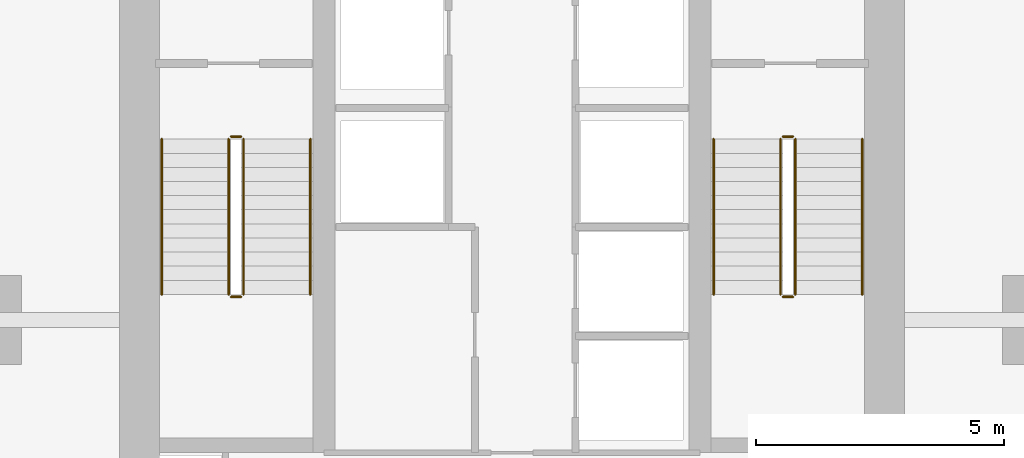
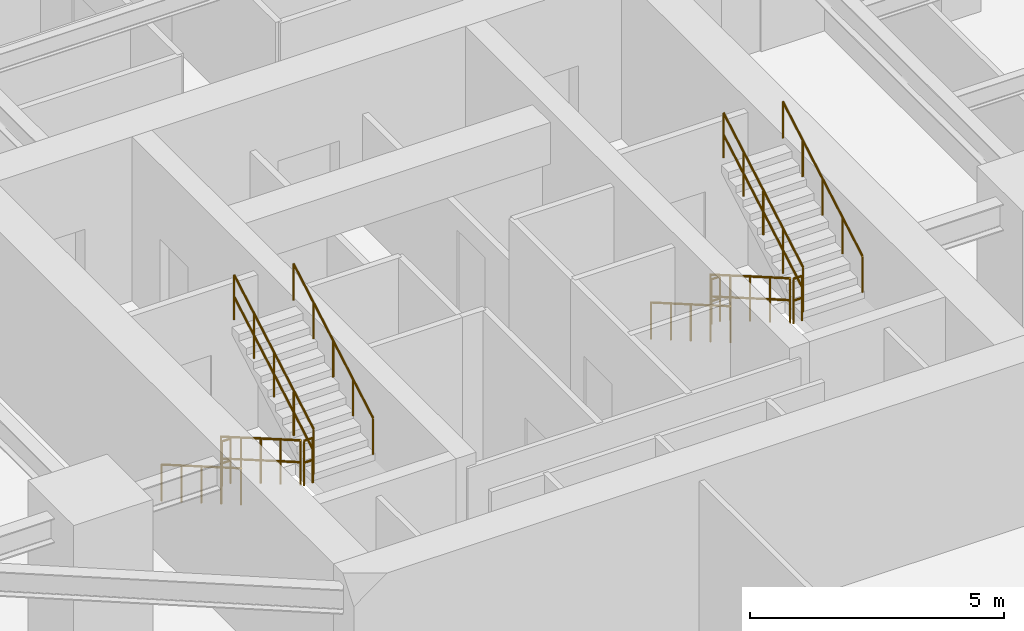
# One storey, part 26 of 27: 12 railings.
"""IFC4 building model written with IfcOpenShell, lengths in metres."""

from ifc_helpers import new_model, si_unit, direction, frame, origin, origin_2d, place, context, subcontext, project, spatial, circle, extrude, material, layer, layer_set, type_object, element, save


model = new_model("IFC4")

# Units and contexts
model_context = context("Model", 3, precision=1e-05, world=origin(), true_north=direction((0.0, 1.0)))
body_context = subcontext(model_context, "Body", "Model", "MODEL_VIEW")
ifc_project = project(units=[si_unit("LENGTHUNIT", "METRE"), si_unit("AREAUNIT", "SQUARE_METRE"), si_unit("VOLUMEUNIT", "CUBIC_METRE"), si_unit("PLANEANGLEUNIT", "RADIAN"), si_unit("MASSUNIT", "GRAM", prefix="KILO")], contexts=[model_context])

# Site, building, storey
site_placement = place(None, origin())
site = spatial("IfcSite", under=ifc_project, at=site_placement, CompositionType="ELEMENT")
building_placement = place(site_placement, origin())
building = spatial("IfcBuilding", under=site, at=building_placement, Name="Krantzveldt Concourse Tower", CompositionType="ELEMENT")
storey_placement = place(building_placement, frame((0.0, 0.0, 158.050048828125)))
storey = spatial("IfcBuildingStorey", under=building, at=storey_placement, Name="L38", CompositionType="ELEMENT", Elevation=158.050048828125)

# Railings
ifc_material = material(Name="Stainless steel 316L", Category="steel")
ifc_layer_1 = layer(ifc_material, 0.06005859375, Name="Stainless steel 316L", Category="steel")
ifc_layer_set_1 = layer_set([ifc_layer_1], Name="Stainless steel 316L (RL-GUARD-1120)")
railing_type_1 = type_object("IfcRailingType", Name="RL-GUARD-1120", PredefinedType="GUARDRAIL", material=ifc_layer_set_1)
railing_1_placement = place(storey_placement, frame((30.280029296875, 19.550048828125, 0.16455078125)))
element("IfcRailing", 1, at=railing_1_placement, inside=storey, type_object=railing_type_1, Name="L38 ST-1 stair guard 1", PredefinedType="GUARDRAIL", context=body_context, shape_type="SweptSolid", body=[
    extrude(circle(Radius=0.02392578125, at=origin_2d()), frame((0.0, 0.0, 1.076171875), z_axis=(0.0, -0.865989039225, 0.500062979975), x_axis=(1.0, 0.0, 0.0)), (0.0, 0.0, 1.0), 3.6201171875),
    extrude(circle(Radius=0.02392578125, at=origin_2d()), frame((0.0, 0.0, 0.550048828125), z_axis=(0.0, -0.865989039225, 0.500062979975), x_axis=(1.0, 0.0, 0.0)), (0.0, 0.0, 1.0), 3.6201171875),
    extrude(circle(Radius=0.02099609375, at=origin_2d()), origin(), (0.0, 0.0, 1.0), 1.052001953125),
    extrude(circle(Radius=0.02099609375, at=origin_2d()), frame((0.0, -0.78369140625, 0.45263671875)), (0.0, 0.0, 1.0), 1.052001953125),
    extrude(circle(Radius=0.02099609375, at=origin_2d()), frame((0.0, -1.5673828125, 0.9052734375)), (0.0, 0.0, 1.0), 1.052001953125),
    extrude(circle(Radius=0.02099609375, at=origin_2d()), frame((0.0, -2.351318359375, 1.357666015625)), (0.0, 0.0, 1.0), 1.052001953125),
    extrude(circle(Radius=0.02099609375, at=origin_2d()), frame((0.0, -3.135009765625, 1.810302734375)), (0.0, 0.0, 1.0), 1.052001953125),
])
railing_2_placement = place(storey_placement, frame((30.330078125, 16.364990234375, 1.974853515625)))
element("IfcRailing", 2, at=railing_2_placement, inside=storey, type_object=railing_type_1, Name="L38 ST-1 stair guard 2", PredefinedType="GUARDRAIL", context=body_context, shape_type="SweptSolid", body=[
    extrude(circle(Radius=0.02392578125, at=origin_2d()), frame((0.0, 0.0, 1.076171875), z_axis=(1.0, 0.0, 0.0), x_axis=(0.0, 1.0, 0.0)), (0.0, 0.0, 1.0), 0.199951171875),
    extrude(circle(Radius=0.02392578125, at=origin_2d()), frame((0.0, 0.0, 0.550048828125), z_axis=(1.0, 0.0, 0.0), x_axis=(0.0, 1.0, 0.0)), (0.0, 0.0, 1.0), 0.199951171875),
    extrude(circle(Radius=0.02099609375, at=origin_2d()), origin(), (0.0, 0.0, 1.0), 1.052001953125),
    extrude(circle(Radius=0.02099609375, at=origin_2d()), frame((0.199951171875, 0.0, 0.0)), (0.0, 0.0, 1.0), 1.052001953125),
])
railing_3_placement = place(storey_placement, frame((30.580078125, 16.4150390625, 2.1396484375)))
element("IfcRailing", 3, at=railing_3_placement, inside=storey, type_object=railing_type_1, Name="L38 ST-1 stair guard 3", PredefinedType="GUARDRAIL", context=body_context, shape_type="SweptSolid", body=[
    extrude(circle(Radius=0.02392578125, at=origin_2d()), frame((0.0, 0.0, 1.076171875), z_axis=(0.0, 0.865989039225, 0.500062979975), x_axis=(-1.0, 0.0, 0.0)), (0.0, 0.0, 1.0), 3.6201171875),
    extrude(circle(Radius=0.02392578125, at=origin_2d()), frame((0.0, 0.0, 0.550048828125), z_axis=(0.0, 0.865989039225, 0.500062979975), x_axis=(-1.0, 0.0, 0.0)), (0.0, 0.0, 1.0), 3.6201171875),
    extrude(circle(Radius=0.02099609375, at=origin_2d()), origin(), (0.0, 0.0, 1.0), 1.052001953125),
    extrude(circle(Radius=0.02099609375, at=origin_2d()), frame((0.0, 0.78369140625, 0.45263671875)), (0.0, 0.0, 1.0), 1.052001953125),
    extrude(circle(Radius=0.02099609375, at=origin_2d()), frame((0.0, 1.5673828125, 0.9052734375)), (0.0, 0.0, 1.0), 1.052001953125),
    extrude(circle(Radius=0.02099609375, at=origin_2d()), frame((0.0, 2.351318359375, 1.357666015625)), (0.0, 0.0, 1.0), 1.052001953125),
    extrude(circle(Radius=0.02099609375, at=origin_2d()), frame((0.0, 3.135009765625, 1.810302734375)), (0.0, 0.0, 1.0), 1.052001953125),
])
railing_4_placement = place(storey_placement, frame((30.330078125, 19.60009765625, 0.0)))
element("IfcRailing", 4, at=railing_4_placement, inside=storey, type_object=railing_type_1, Name="L38 ST-1 stair guard 4", PredefinedType="GUARDRAIL", context=body_context, shape_type="SweptSolid", body=[
    extrude(circle(Radius=0.02392578125, at=origin_2d()), frame((0.0, 0.0, 1.076171875), z_axis=(1.0, 0.0, 0.0), x_axis=(0.0, 1.0, 0.0)), (0.0, 0.0, 1.0), 0.199951171875),
    extrude(circle(Radius=0.02392578125, at=origin_2d()), frame((0.0, 0.0, 0.550048828125), z_axis=(1.0, 0.0, 0.0), x_axis=(0.0, 1.0, 0.0)), (0.0, 0.0, 1.0), 0.199951171875),
    extrude(circle(Radius=0.02099609375, at=origin_2d()), origin(), (0.0, 0.0, 1.0), 1.052001953125),
    extrude(circle(Radius=0.02099609375, at=origin_2d()), frame((0.199951171875, 0.0, 0.0)), (0.0, 0.0, 1.0), 1.052001953125),
])
railing_5_placement = place(storey_placement, frame((41.419921875, 19.550048828125, 0.16455078125)))
element("IfcRailing", 5, at=railing_5_placement, inside=storey, type_object=railing_type_1, Name="L38 ST-2 stair guard 1", PredefinedType="GUARDRAIL", context=body_context, shape_type="SweptSolid", body=[
    extrude(circle(Radius=0.02392578125, at=origin_2d()), frame((0.0, 0.0, 1.076171875), z_axis=(0.0, -0.865989039225, 0.500062979975), x_axis=(1.0, 0.0, 0.0)), (0.0, 0.0, 1.0), 3.6201171875),
    extrude(circle(Radius=0.02392578125, at=origin_2d()), frame((0.0, 0.0, 0.550048828125), z_axis=(0.0, -0.865989039225, 0.500062979975), x_axis=(1.0, 0.0, 0.0)), (0.0, 0.0, 1.0), 3.6201171875),
    extrude(circle(Radius=0.02099609375, at=origin_2d()), origin(), (0.0, 0.0, 1.0), 1.052001953125),
    extrude(circle(Radius=0.02099609375, at=origin_2d()), frame((0.0, -0.78369140625, 0.45263671875)), (0.0, 0.0, 1.0), 1.052001953125),
    extrude(circle(Radius=0.02099609375, at=origin_2d()), frame((0.0, -1.5673828125, 0.9052734375)), (0.0, 0.0, 1.0), 1.052001953125),
    extrude(circle(Radius=0.02099609375, at=origin_2d()), frame((0.0, -2.351318359375, 1.357666015625)), (0.0, 0.0, 1.0), 1.052001953125),
    extrude(circle(Radius=0.02099609375, at=origin_2d()), frame((0.0, -3.135009765625, 1.810302734375)), (0.0, 0.0, 1.0), 1.052001953125),
])
railing_6_placement = place(storey_placement, frame((41.469970703125, 16.364990234375, 1.974853515625)))
element("IfcRailing", 6, at=railing_6_placement, inside=storey, type_object=railing_type_1, Name="L38 ST-2 stair guard 2", PredefinedType="GUARDRAIL", context=body_context, shape_type="SweptSolid", body=[
    extrude(circle(Radius=0.02392578125, at=origin_2d()), frame((0.0, 0.0, 1.076171875), z_axis=(1.0, 0.0, 0.0), x_axis=(0.0, 1.0, 0.0)), (0.0, 0.0, 1.0), 0.199951171875),
    extrude(circle(Radius=0.02392578125, at=origin_2d()), frame((0.0, 0.0, 0.550048828125), z_axis=(1.0, 0.0, 0.0), x_axis=(0.0, 1.0, 0.0)), (0.0, 0.0, 1.0), 0.199951171875),
    extrude(circle(Radius=0.02099609375, at=origin_2d()), origin(), (0.0, 0.0, 1.0), 1.052001953125),
    extrude(circle(Radius=0.02099609375, at=origin_2d()), frame((0.199951171875, 0.0, 0.0)), (0.0, 0.0, 1.0), 1.052001953125),
])
railing_7_placement = place(storey_placement, frame((41.719970703125, 16.4150390625, 2.1396484375)))
element("IfcRailing", 7, at=railing_7_placement, inside=storey, type_object=railing_type_1, Name="L38 ST-2 stair guard 3", PredefinedType="GUARDRAIL", context=body_context, shape_type="SweptSolid", body=[
    extrude(circle(Radius=0.02392578125, at=origin_2d()), frame((0.0, 0.0, 1.076171875), z_axis=(0.0, 0.865989039225, 0.500062979975), x_axis=(-1.0, 0.0, 0.0)), (0.0, 0.0, 1.0), 3.6201171875),
    extrude(circle(Radius=0.02392578125, at=origin_2d()), frame((0.0, 0.0, 0.550048828125), z_axis=(0.0, 0.865989039225, 0.500062979975), x_axis=(-1.0, 0.0, 0.0)), (0.0, 0.0, 1.0), 3.6201171875),
    extrude(circle(Radius=0.02099609375, at=origin_2d()), origin(), (0.0, 0.0, 1.0), 1.052001953125),
    extrude(circle(Radius=0.02099609375, at=origin_2d()), frame((0.0, 0.78369140625, 0.45263671875)), (0.0, 0.0, 1.0), 1.052001953125),
    extrude(circle(Radius=0.02099609375, at=origin_2d()), frame((0.0, 1.5673828125, 0.9052734375)), (0.0, 0.0, 1.0), 1.052001953125),
    extrude(circle(Radius=0.02099609375, at=origin_2d()), frame((0.0, 2.351318359375, 1.357666015625)), (0.0, 0.0, 1.0), 1.052001953125),
    extrude(circle(Radius=0.02099609375, at=origin_2d()), frame((0.0, 3.135009765625, 1.810302734375)), (0.0, 0.0, 1.0), 1.052001953125),
])
railing_8_placement = place(storey_placement, frame((41.469970703125, 19.60009765625, 0.0)))
element("IfcRailing", 8, at=railing_8_placement, inside=storey, type_object=railing_type_1, Name="L38 ST-2 stair guard 4", PredefinedType="GUARDRAIL", context=body_context, shape_type="SweptSolid", body=[
    extrude(circle(Radius=0.02392578125, at=origin_2d()), frame((0.0, 0.0, 1.076171875), z_axis=(1.0, 0.0, 0.0), x_axis=(0.0, 1.0, 0.0)), (0.0, 0.0, 1.0), 0.199951171875),
    extrude(circle(Radius=0.02392578125, at=origin_2d()), frame((0.0, 0.0, 0.550048828125), z_axis=(1.0, 0.0, 0.0), x_axis=(0.0, 1.0, 0.0)), (0.0, 0.0, 1.0), 0.199951171875),
    extrude(circle(Radius=0.02099609375, at=origin_2d()), origin(), (0.0, 0.0, 1.0), 1.052001953125),
    extrude(circle(Radius=0.02099609375, at=origin_2d()), frame((0.199951171875, 0.0, 0.0)), (0.0, 0.0, 1.0), 1.052001953125),
])
ifc_layer_2 = layer(ifc_material, 0.050048828125, Name="Stainless steel 316L", Category="steel")
ifc_layer_set_2 = layer_set([ifc_layer_2], Name="Stainless steel 316L (RL-HANDRAIL-920)")
railing_type_2 = type_object("IfcRailingType", Name="RL-HANDRAIL-920", PredefinedType="HANDRAIL", material=ifc_layer_set_2)
railing_9_placement = place(storey_placement, frame((28.929931640625, 19.550048828125, 0.16455078125)))
element("IfcRailing", 9, at=railing_9_placement, inside=storey, type_object=railing_type_2, Name="L38 ST-1 stair handrail 1", PredefinedType="HANDRAIL", context=body_context, shape_type="SweptSolid", body=[
    extrude(circle(Radius=0.02392578125, at=origin_2d()), frame((0.0, 0.0, 0.8759765625), z_axis=(0.0, -0.865989039225, 0.500062979975), x_axis=(1.0, 0.0, 0.0)), (0.0, 0.0, 1.0), 3.6201171875),
    extrude(circle(Radius=0.02099609375, at=origin_2d()), origin(), (0.0, 0.0, 1.0), 0.851806640625),
    extrude(circle(Radius=0.02099609375, at=origin_2d()), frame((0.0, -0.78369140625, 0.45263671875)), (0.0, 0.0, 1.0), 0.851806640625),
    extrude(circle(Radius=0.02099609375, at=origin_2d()), frame((0.0, -1.5673828125, 0.9052734375)), (0.0, 0.0, 1.0), 0.851806640625),
    extrude(circle(Radius=0.02099609375, at=origin_2d()), frame((0.0, -2.351318359375, 1.357666015625)), (0.0, 0.0, 1.0), 0.851806640625),
    extrude(circle(Radius=0.02099609375, at=origin_2d()), frame((0.0, -3.135009765625, 1.810302734375)), (0.0, 0.0, 1.0), 0.851806640625),
])
railing_10_placement = place(storey_placement, frame((31.929931640625, 16.4150390625, 2.1396484375)))
element("IfcRailing", 10, at=railing_10_placement, inside=storey, type_object=railing_type_2, Name="L38 ST-1 stair handrail 2", PredefinedType="HANDRAIL", context=body_context, shape_type="SweptSolid", body=[
    extrude(circle(Radius=0.02392578125, at=origin_2d()), frame((0.0, 0.0, 0.8759765625), z_axis=(0.0, 0.865989039225, 0.500062979975), x_axis=(-1.0, 0.0, 0.0)), (0.0, 0.0, 1.0), 3.6201171875),
    extrude(circle(Radius=0.02099609375, at=origin_2d()), origin(), (0.0, 0.0, 1.0), 0.851806640625),
    extrude(circle(Radius=0.02099609375, at=origin_2d()), frame((0.0, 0.78369140625, 0.45263671875)), (0.0, 0.0, 1.0), 0.851806640625),
    extrude(circle(Radius=0.02099609375, at=origin_2d()), frame((0.0, 1.5673828125, 0.9052734375)), (0.0, 0.0, 1.0), 0.851806640625),
    extrude(circle(Radius=0.02099609375, at=origin_2d()), frame((0.0, 2.351318359375, 1.357666015625)), (0.0, 0.0, 1.0), 0.851806640625),
    extrude(circle(Radius=0.02099609375, at=origin_2d()), frame((0.0, 3.135009765625, 1.810302734375)), (0.0, 0.0, 1.0), 0.851806640625),
])
railing_11_placement = place(storey_placement, frame((40.070068359375, 19.550048828125, 0.16455078125)))
element("IfcRailing", 11, at=railing_11_placement, inside=storey, type_object=railing_type_2, Name="L38 ST-2 stair handrail 1", PredefinedType="HANDRAIL", context=body_context, shape_type="SweptSolid", body=[
    extrude(circle(Radius=0.02392578125, at=origin_2d()), frame((0.0, 0.0, 0.8759765625), z_axis=(0.0, -0.865989039225, 0.500062979975), x_axis=(1.0, 0.0, 0.0)), (0.0, 0.0, 1.0), 3.6201171875),
    extrude(circle(Radius=0.02099609375, at=origin_2d()), origin(), (0.0, 0.0, 1.0), 0.851806640625),
    extrude(circle(Radius=0.02099609375, at=origin_2d()), frame((0.0, -0.78369140625, 0.45263671875)), (0.0, 0.0, 1.0), 0.851806640625),
    extrude(circle(Radius=0.02099609375, at=origin_2d()), frame((0.0, -1.5673828125, 0.9052734375)), (0.0, 0.0, 1.0), 0.851806640625),
    extrude(circle(Radius=0.02099609375, at=origin_2d()), frame((0.0, -2.351318359375, 1.357666015625)), (0.0, 0.0, 1.0), 0.851806640625),
    extrude(circle(Radius=0.02099609375, at=origin_2d()), frame((0.0, -3.135009765625, 1.810302734375)), (0.0, 0.0, 1.0), 0.851806640625),
])
railing_12_placement = place(storey_placement, frame((43.070068359375, 16.4150390625, 2.1396484375)))
element("IfcRailing", 12, at=railing_12_placement, inside=storey, type_object=railing_type_2, Name="L38 ST-2 stair handrail 2", PredefinedType="HANDRAIL", context=body_context, shape_type="SweptSolid", body=[
    extrude(circle(Radius=0.02392578125, at=origin_2d()), frame((0.0, 0.0, 0.8759765625), z_axis=(0.0, 0.865989039225, 0.500062979975), x_axis=(-1.0, 0.0, 0.0)), (0.0, 0.0, 1.0), 3.6201171875),
    extrude(circle(Radius=0.02099609375, at=origin_2d()), origin(), (0.0, 0.0, 1.0), 0.851806640625),
    extrude(circle(Radius=0.02099609375, at=origin_2d()), frame((0.0, 0.78369140625, 0.45263671875)), (0.0, 0.0, 1.0), 0.851806640625),
    extrude(circle(Radius=0.02099609375, at=origin_2d()), frame((0.0, 1.5673828125, 0.9052734375)), (0.0, 0.0, 1.0), 0.851806640625),
    extrude(circle(Radius=0.02099609375, at=origin_2d()), frame((0.0, 2.351318359375, 1.357666015625)), (0.0, 0.0, 1.0), 0.851806640625),
    extrude(circle(Radius=0.02099609375, at=origin_2d()), frame((0.0, 3.135009765625, 1.810302734375)), (0.0, 0.0, 1.0), 0.851806640625),
])

save(model, "model.ifc")
